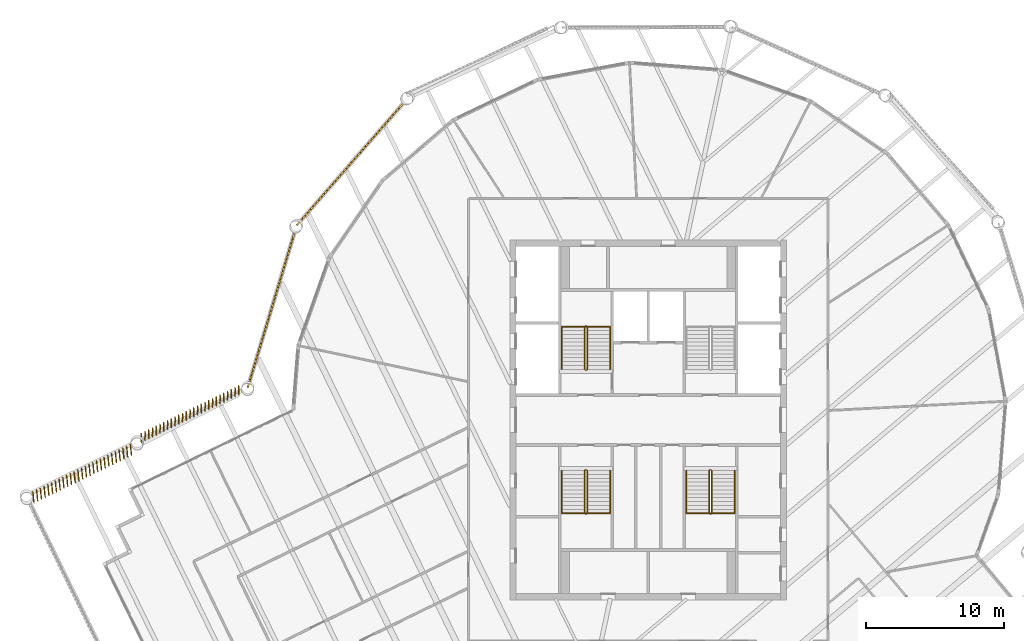
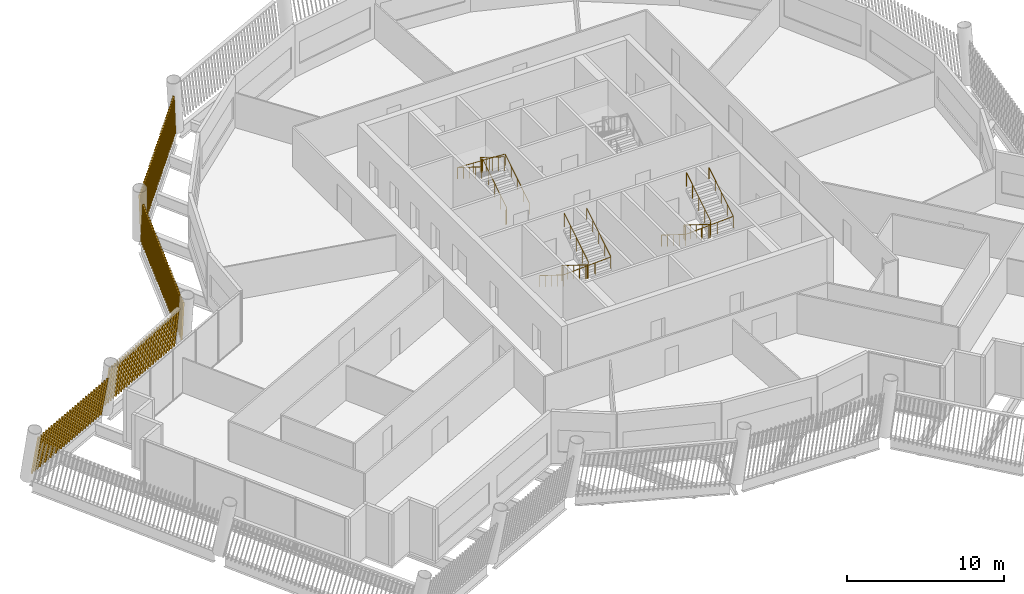
# One storey, part 28 of 31: 6 railings, 4 shading devices.
"""IFC4 building model written with IfcOpenShell, lengths in metres."""

from ifc_helpers import new_model, si_unit, direction, frame, frame_2d, origin, origin_2d, place, context, subcontext, project, spatial, rectangle, circle, composite_profile, extrude, material, type_object, element, save


model = new_model("IFC4")

# Units and contexts
model_context = context("Model", 3, precision=1e-05, world=origin(), true_north=direction((0.0, 1.0)))
body_context = subcontext(model_context, "Body", "Model", "MODEL_VIEW")
ifc_project = project(units=[si_unit("LENGTHUNIT", "METRE"), si_unit("AREAUNIT", "SQUARE_METRE"), si_unit("VOLUMEUNIT", "CUBIC_METRE"), si_unit("PLANEANGLEUNIT", "RADIAN"), si_unit("MASSUNIT", "GRAM", prefix="KILO")], contexts=[model_context])

# Site, building, storey
site_placement = place(None, origin())
site = spatial("IfcSite", under=ifc_project, at=site_placement, CompositionType="ELEMENT")
building_placement = place(site_placement, origin())
building = spatial("IfcBuilding", under=site, at=building_placement, Name="Tarsis Ring Headquarters", CompositionType="ELEMENT")
storey_placement = place(building_placement, frame((0.0, 0.0, 390.199951171875)))
storey = spatial("IfcBuildingStorey", under=building, at=storey_placement, Name="L92", CompositionType="ELEMENT", Elevation=390.199951171875)

# Railings
ifc_material_1 = material(Name="Steel S355", Category="steel")
railing_type_1 = type_object("IfcRailingType", Name="Core stair guard 1100", PredefinedType="GUARDRAIL", material=ifc_material_1)
railing_1_placement = place(storey_placement, frame((-4.5400390625, 3.610107421875, 0.0)))
element("IfcRailing", 1, at=railing_1_placement, inside=storey, type_object=railing_type_1, Name="L92 ST1 stair guard 1", PredefinedType="GUARDRAIL", context=body_context, shape_type="SweptSolid", body=[
    extrude(circle(Radius=0.02392578125, at=origin_2d()), frame((0.0, 0.0, 1.076171875), z_axis=(1.0, 0.0, 0.0), x_axis=(0.0, 1.0, 0.0)), (0.0, 0.0, 1.0), 0.080078125),
    extrude(circle(Radius=0.02392578125, at=origin_2d()), frame((0.080078125, 0.0, 1.076171875), z_axis=(0.265155923931, 0.263862480399, 0.927399011991), x_axis=(-0.705375805398, 0.708833529934, 0.0)), (0.0, 0.0, 1.0), 0.188720703125),
    extrude(circle(Radius=0.02392578125, at=origin_2d()), frame((0.130126953125, 0.0498046875, 1.2509765625), z_axis=(0.0, 0.847998304005, 0.529998940003), x_axis=(-1.0, 0.0, 0.0)), (0.0, 0.0, 1.0), 3.632080078125),
    extrude(circle(Radius=0.02392578125, at=origin_2d()), frame((0.130126953125, 3.1298828125, 3.17626953125), z_axis=(-0.707106781187, 0.707106781187, 0.0), x_axis=(-0.707106781187, -0.707106781187, 0.0)), (0.0, 0.0, 1.0), 0.07080078125),
    extrude(circle(Radius=0.02392578125, at=origin_2d()), frame((0.080078125, 3.179931640625, 3.17626953125), z_axis=(-1.0, 0.0, 0.0), x_axis=(0.0, -1.0, 0.0)), (0.0, 0.0, 1.0), 0.080078125),
    extrude(circle(Radius=0.02392578125, at=origin_2d()), frame((0.0, 3.179931640625, 3.17626953125), z_axis=(-0.265065253269, -0.265065253269, 0.927081885822), x_axis=(0.707106781187, -0.707106781187, 0.0)), (0.0, 0.0, 1.0), 0.188720703125),
    extrude(circle(Radius=0.02392578125, at=origin_2d()), frame((-0.050048828125, 3.1298828125, 3.35107421875), z_axis=(0.0, -0.848028513186, 0.529950602248), x_axis=(1.0, 0.0, 0.0)), (0.0, 0.0, 1.0), 3.632080078125),
    extrude(circle(Radius=0.02099609375, at=origin_2d()), origin(), (0.0, 0.0, 1.0), 1.052001953125),
    extrude(circle(Radius=0.02099609375, at=origin_2d()), frame((0.080078125, 0.0, 0.0)), (0.0, 0.0, 1.0), 1.052001953125),
    extrude(circle(Radius=0.02099609375, at=origin_2d()), frame((0.130126953125, 0.0498046875, 0.175048828125)), (0.0, 0.0, 1.0), 1.052001953125),
    extrude(circle(Radius=0.02099609375, at=origin_2d()), frame((0.130126953125, 0.81982421875, 0.65625)), (0.0, 0.0, 1.0), 1.052001953125),
    extrude(circle(Radius=0.02099609375, at=origin_2d()), frame((0.130126953125, 1.58984375, 1.1376953125)), (0.0, 0.0, 1.0), 1.052001953125),
    extrude(circle(Radius=0.02099609375, at=origin_2d()), frame((0.130126953125, 2.35986328125, 1.618896484375)), (0.0, 0.0, 1.0), 1.052001953125),
    extrude(circle(Radius=0.02099609375, at=origin_2d()), frame((0.130126953125, 3.1298828125, 2.10009765625)), (0.0, 0.0, 1.0), 1.052001953125),
    extrude(circle(Radius=0.02099609375, at=origin_2d()), frame((0.080078125, 3.179931640625, 2.10009765625)), (0.0, 0.0, 1.0), 1.052001953125),
    extrude(circle(Radius=0.02099609375, at=origin_2d()), frame((0.0, 3.179931640625, 2.10009765625)), (0.0, 0.0, 1.0), 1.052001953125),
    extrude(circle(Radius=0.02099609375, at=origin_2d()), frame((-0.050048828125, 3.1298828125, 2.275146484375)), (0.0, 0.0, 1.0), 1.052001953125),
    extrude(circle(Radius=0.02099609375, at=origin_2d()), frame((-0.050048828125, 2.35986328125, 2.75634765625)), (0.0, 0.0, 1.0), 1.052001953125),
    extrude(circle(Radius=0.02099609375, at=origin_2d()), frame((-0.050048828125, 1.58984375, 3.237548828125)), (0.0, 0.0, 1.0), 1.052001953125),
    extrude(circle(Radius=0.02099609375, at=origin_2d()), frame((-0.050048828125, 0.81982421875, 3.71875)), (0.0, 0.0, 1.0), 1.052001953125),
    extrude(circle(Radius=0.02099609375, at=origin_2d()), frame((-0.050048828125, 0.0498046875, 4.199951171875)), (0.0, 0.0, 1.0), 1.052001953125),
])
railing_2_placement = place(storey_placement, frame((-4.4599609375, -3.610107421875, 0.0)))
element("IfcRailing", 2, at=railing_2_placement, inside=storey, type_object=railing_type_1, Name="L92 ST3 stair guard 1", PredefinedType="GUARDRAIL", context=body_context, shape_type="SweptSolid", body=[
    extrude(circle(Radius=0.02392578125, at=origin_2d()), frame((0.0, 0.0, 1.076171875), z_axis=(-1.0, 0.0, 0.0), x_axis=(0.0, -1.0, 0.0)), (0.0, 0.0, 1.0), 0.080078125),
    extrude(circle(Radius=0.02392578125, at=origin_2d()), frame((-0.080078125, 0.0, 1.076171875), z_axis=(-0.265155923931, -0.263862480399, 0.927399011991), x_axis=(0.705375805398, -0.708833529934, 0.0)), (0.0, 0.0, 1.0), 0.188720703125),
    extrude(circle(Radius=0.02392578125, at=origin_2d()), frame((-0.130126953125, -0.0498046875, 1.2509765625), z_axis=(0.0, -0.847998304005, 0.529998940003), x_axis=(1.0, 0.0, 0.0)), (0.0, 0.0, 1.0), 3.632080078125),
    extrude(circle(Radius=0.02392578125, at=origin_2d()), frame((-0.130126953125, -3.1298828125, 3.17626953125), z_axis=(0.707106781187, -0.707106781187, 0.0), x_axis=(0.707106781187, 0.707106781187, 0.0)), (0.0, 0.0, 1.0), 0.07080078125),
    extrude(circle(Radius=0.02392578125, at=origin_2d()), frame((-0.080078125, -3.179931640625, 3.17626953125), z_axis=(1.0, 0.0, 0.0), x_axis=(0.0, 1.0, 0.0)), (0.0, 0.0, 1.0), 0.080078125),
    extrude(circle(Radius=0.02392578125, at=origin_2d()), frame((0.0, -3.179931640625, 3.17626953125), z_axis=(0.265065253269, 0.265065253269, 0.927081885822), x_axis=(-0.707106781187, 0.707106781187, 0.0)), (0.0, 0.0, 1.0), 0.188720703125),
    extrude(circle(Radius=0.02392578125, at=origin_2d()), frame((0.050048828125, -3.1298828125, 3.35107421875), z_axis=(0.0, 0.848028513186, 0.529950602248), x_axis=(-1.0, 0.0, 0.0)), (0.0, 0.0, 1.0), 3.632080078125),
    extrude(circle(Radius=0.02099609375, at=origin_2d()), origin(), (0.0, 0.0, 1.0), 1.052001953125),
    extrude(circle(Radius=0.02099609375, at=origin_2d()), frame((-0.080078125, 0.0, 0.0)), (0.0, 0.0, 1.0), 1.052001953125),
    extrude(circle(Radius=0.02099609375, at=origin_2d()), frame((-0.130126953125, -0.0498046875, 0.175048828125)), (0.0, 0.0, 1.0), 1.052001953125),
    extrude(circle(Radius=0.02099609375, at=origin_2d()), frame((-0.130126953125, -0.81982421875, 0.65625)), (0.0, 0.0, 1.0), 1.052001953125),
    extrude(circle(Radius=0.02099609375, at=origin_2d()), frame((-0.130126953125, -1.58984375, 1.1376953125)), (0.0, 0.0, 1.0), 1.052001953125),
    extrude(circle(Radius=0.02099609375, at=origin_2d()), frame((-0.130126953125, -2.35986328125, 1.618896484375)), (0.0, 0.0, 1.0), 1.052001953125),
    extrude(circle(Radius=0.02099609375, at=origin_2d()), frame((-0.130126953125, -3.1298828125, 2.10009765625)), (0.0, 0.0, 1.0), 1.052001953125),
    extrude(circle(Radius=0.02099609375, at=origin_2d()), frame((-0.080078125, -3.179931640625, 2.10009765625)), (0.0, 0.0, 1.0), 1.052001953125),
    extrude(circle(Radius=0.02099609375, at=origin_2d()), frame((0.0, -3.179931640625, 2.10009765625)), (0.0, 0.0, 1.0), 1.052001953125),
    extrude(circle(Radius=0.02099609375, at=origin_2d()), frame((0.050048828125, -3.1298828125, 2.275146484375)), (0.0, 0.0, 1.0), 1.052001953125),
    extrude(circle(Radius=0.02099609375, at=origin_2d()), frame((0.050048828125, -2.35986328125, 2.75634765625)), (0.0, 0.0, 1.0), 1.052001953125),
    extrude(circle(Radius=0.02099609375, at=origin_2d()), frame((0.050048828125, -1.58984375, 3.237548828125)), (0.0, 0.0, 1.0), 1.052001953125),
    extrude(circle(Radius=0.02099609375, at=origin_2d()), frame((0.050048828125, -0.81982421875, 3.71875)), (0.0, 0.0, 1.0), 1.052001953125),
    extrude(circle(Radius=0.02099609375, at=origin_2d()), frame((0.050048828125, -0.0498046875, 4.199951171875)), (0.0, 0.0, 1.0), 1.052001953125),
])
railing_3_placement = place(storey_placement, frame((4.5400390625, -3.610107421875, 0.0)))
element("IfcRailing", 3, at=railing_3_placement, inside=storey, type_object=railing_type_1, Name="L92 ST4 stair guard 1", PredefinedType="GUARDRAIL", context=body_context, shape_type="SweptSolid", body=[
    extrude(circle(Radius=0.02392578125, at=origin_2d()), frame((0.0, 0.0, 1.076171875), z_axis=(-1.0, 0.0, 0.0), x_axis=(0.0, -1.0, 0.0)), (0.0, 0.0, 1.0), 0.080078125),
    extrude(circle(Radius=0.02392578125, at=origin_2d()), frame((-0.080078125, 0.0, 1.076171875), z_axis=(-0.265155923931, -0.263862480399, 0.927399011991), x_axis=(0.705375805398, -0.708833529934, 0.0)), (0.0, 0.0, 1.0), 0.188720703125),
    extrude(circle(Radius=0.02392578125, at=origin_2d()), frame((-0.130126953125, -0.0498046875, 1.2509765625), z_axis=(0.0, -0.847998304005, 0.529998940003), x_axis=(1.0, 0.0, 0.0)), (0.0, 0.0, 1.0), 3.632080078125),
    extrude(circle(Radius=0.02392578125, at=origin_2d()), frame((-0.130126953125, -3.1298828125, 3.17626953125), z_axis=(0.707106781187, -0.707106781187, 0.0), x_axis=(0.707106781187, 0.707106781187, 0.0)), (0.0, 0.0, 1.0), 0.07080078125),
    extrude(circle(Radius=0.02392578125, at=origin_2d()), frame((-0.080078125, -3.179931640625, 3.17626953125), z_axis=(1.0, 0.0, 0.0), x_axis=(0.0, 1.0, 0.0)), (0.0, 0.0, 1.0), 0.080078125),
    extrude(circle(Radius=0.02392578125, at=origin_2d()), frame((0.0, -3.179931640625, 3.17626953125), z_axis=(0.265065253269, 0.265065253269, 0.927081885822), x_axis=(-0.707106781187, 0.707106781187, 0.0)), (0.0, 0.0, 1.0), 0.188720703125),
    extrude(circle(Radius=0.02392578125, at=origin_2d()), frame((0.050048828125, -3.1298828125, 3.35107421875), z_axis=(0.0, 0.848028513186, 0.529950602248), x_axis=(-1.0, 0.0, 0.0)), (0.0, 0.0, 1.0), 3.632080078125),
    extrude(circle(Radius=0.02099609375, at=origin_2d()), origin(), (0.0, 0.0, 1.0), 1.052001953125),
    extrude(circle(Radius=0.02099609375, at=origin_2d()), frame((-0.080078125, 0.0, 0.0)), (0.0, 0.0, 1.0), 1.052001953125),
    extrude(circle(Radius=0.02099609375, at=origin_2d()), frame((-0.130126953125, -0.0498046875, 0.175048828125)), (0.0, 0.0, 1.0), 1.052001953125),
    extrude(circle(Radius=0.02099609375, at=origin_2d()), frame((-0.130126953125, -0.81982421875, 0.65625)), (0.0, 0.0, 1.0), 1.052001953125),
    extrude(circle(Radius=0.02099609375, at=origin_2d()), frame((-0.130126953125, -1.58984375, 1.1376953125)), (0.0, 0.0, 1.0), 1.052001953125),
    extrude(circle(Radius=0.02099609375, at=origin_2d()), frame((-0.130126953125, -2.35986328125, 1.618896484375)), (0.0, 0.0, 1.0), 1.052001953125),
    extrude(circle(Radius=0.02099609375, at=origin_2d()), frame((-0.130126953125, -3.1298828125, 2.10009765625)), (0.0, 0.0, 1.0), 1.052001953125),
    extrude(circle(Radius=0.02099609375, at=origin_2d()), frame((-0.080078125, -3.179931640625, 2.10009765625)), (0.0, 0.0, 1.0), 1.052001953125),
    extrude(circle(Radius=0.02099609375, at=origin_2d()), frame((0.0, -3.179931640625, 2.10009765625)), (0.0, 0.0, 1.0), 1.052001953125),
    extrude(circle(Radius=0.02099609375, at=origin_2d()), frame((0.050048828125, -3.1298828125, 2.275146484375)), (0.0, 0.0, 1.0), 1.052001953125),
    extrude(circle(Radius=0.02099609375, at=origin_2d()), frame((0.050048828125, -2.35986328125, 2.75634765625)), (0.0, 0.0, 1.0), 1.052001953125),
    extrude(circle(Radius=0.02099609375, at=origin_2d()), frame((0.050048828125, -1.58984375, 3.237548828125)), (0.0, 0.0, 1.0), 1.052001953125),
    extrude(circle(Radius=0.02099609375, at=origin_2d()), frame((0.050048828125, -0.81982421875, 3.71875)), (0.0, 0.0, 1.0), 1.052001953125),
    extrude(circle(Radius=0.02099609375, at=origin_2d()), frame((0.050048828125, -0.0498046875, 4.199951171875)), (0.0, 0.0, 1.0), 1.052001953125),
])
railing_type_2 = type_object("IfcRailingType", Name="Core stair handrail 900", PredefinedType="HANDRAIL", material=ifc_material_1)
railing_4_placement = place(storey_placement, frame((-2.75, 3.659912109375, 0.175048828125)))
element("IfcRailing", 4, at=railing_4_placement, inside=storey, type_object=railing_type_2, Name="L92 ST1 stair handrail 1", PredefinedType="HANDRAIL", context=body_context, shape_type="SweptSolid", body=[
    extrude(circle(Radius=0.02392578125, at=origin_2d()), frame((0.0, 0.0, 0.8759765625), z_axis=(0.0, 0.847998304005, 0.529998940003), x_axis=(-1.0, 0.0, 0.0)), (0.0, 0.0, 1.0), 3.632080078125),
    extrude(circle(Radius=0.02392578125, at=origin_2d()), frame((0.0, 3.080078125, 2.80078125), z_axis=(-0.998751643845, 0.0, 0.049951515669), x_axis=(0.0, -1.0, 0.0)), (0.0, 0.0, 1.0), 3.50439453125),
    extrude(circle(Radius=0.02392578125, at=origin_2d()), frame((-3.5, 3.080078125, 2.97607421875), z_axis=(0.0, -0.848028513186, 0.529950602248), x_axis=(1.0, 0.0, 0.0)), (0.0, 0.0, 1.0), 3.632080078125),
    extrude(circle(Radius=0.02099609375, at=origin_2d()), origin(), (0.0, 0.0, 1.0), 0.851806640625),
    extrude(circle(Radius=0.02099609375, at=origin_2d()), frame((0.0, 0.77001953125, 0.481201171875)), (0.0, 0.0, 1.0), 0.851806640625),
    extrude(circle(Radius=0.02099609375, at=origin_2d()), frame((0.0, 1.5400390625, 0.96240234375)), (0.0, 0.0, 1.0), 0.851806640625),
    extrude(circle(Radius=0.02099609375, at=origin_2d()), frame((0.0, 2.31005859375, 1.44384765625)), (0.0, 0.0, 1.0), 0.851806640625),
    extrude(circle(Radius=0.02099609375, at=origin_2d()), frame((0.0, 3.080078125, 1.925048828125)), (0.0, 0.0, 1.0), 0.851806640625),
    extrude(circle(Radius=0.02099609375, at=origin_2d()), frame((-1.166748046875, 3.080078125, 1.9833984375)), (0.0, 0.0, 1.0), 0.851806640625),
    extrude(circle(Radius=0.02099609375, at=origin_2d()), frame((-2.333251953125, 3.080078125, 2.041748046875)), (0.0, 0.0, 1.0), 0.851806640625),
    extrude(circle(Radius=0.02099609375, at=origin_2d()), frame((-3.5, 3.080078125, 2.10009765625)), (0.0, 0.0, 1.0), 0.851806640625),
    extrude(circle(Radius=0.02099609375, at=origin_2d()), frame((-3.5, 2.31005859375, 2.581298828125)), (0.0, 0.0, 1.0), 0.851806640625),
    extrude(circle(Radius=0.02099609375, at=origin_2d()), frame((-3.5, 1.5400390625, 3.0625)), (0.0, 0.0, 1.0), 0.851806640625),
    extrude(circle(Radius=0.02099609375, at=origin_2d()), frame((-3.5, 0.77001953125, 3.543701171875)), (0.0, 0.0, 1.0), 0.851806640625),
    extrude(circle(Radius=0.02099609375, at=origin_2d()), frame((-3.5, 0.0, 4.02490234375)), (0.0, 0.0, 1.0), 0.851806640625),
])
railing_5_placement = place(storey_placement, frame((-6.25, -3.659912109375, 0.175048828125)))
element("IfcRailing", 5, at=railing_5_placement, inside=storey, type_object=railing_type_2, Name="L92 ST3 stair handrail 1", PredefinedType="HANDRAIL", context=body_context, shape_type="SweptSolid", body=[
    extrude(circle(Radius=0.02392578125, at=origin_2d()), frame((0.0, 0.0, 0.8759765625), z_axis=(0.0, -0.847998304005, 0.529998940003), x_axis=(1.0, 0.0, 0.0)), (0.0, 0.0, 1.0), 3.632080078125),
    extrude(circle(Radius=0.02392578125, at=origin_2d()), frame((0.0, -3.080078125, 2.80078125), z_axis=(0.998751643845, 0.0, 0.049951515669), x_axis=(0.0, 1.0, 0.0)), (0.0, 0.0, 1.0), 3.50439453125),
    extrude(circle(Radius=0.02392578125, at=origin_2d()), frame((3.5, -3.080078125, 2.97607421875), z_axis=(0.0, 0.848028513186, 0.529950602248), x_axis=(-1.0, 0.0, 0.0)), (0.0, 0.0, 1.0), 3.632080078125),
    extrude(circle(Radius=0.02099609375, at=origin_2d()), origin(), (0.0, 0.0, 1.0), 0.851806640625),
    extrude(circle(Radius=0.02099609375, at=origin_2d()), frame((0.0, -0.77001953125, 0.481201171875)), (0.0, 0.0, 1.0), 0.851806640625),
    extrude(circle(Radius=0.02099609375, at=origin_2d()), frame((0.0, -1.5400390625, 0.96240234375)), (0.0, 0.0, 1.0), 0.851806640625),
    extrude(circle(Radius=0.02099609375, at=origin_2d()), frame((0.0, -2.31005859375, 1.44384765625)), (0.0, 0.0, 1.0), 0.851806640625),
    extrude(circle(Radius=0.02099609375, at=origin_2d()), frame((0.0, -3.080078125, 1.925048828125)), (0.0, 0.0, 1.0), 0.851806640625),
    extrude(circle(Radius=0.02099609375, at=origin_2d()), frame((1.166748046875, -3.080078125, 1.9833984375)), (0.0, 0.0, 1.0), 0.851806640625),
    extrude(circle(Radius=0.02099609375, at=origin_2d()), frame((2.333251953125, -3.080078125, 2.041748046875)), (0.0, 0.0, 1.0), 0.851806640625),
    extrude(circle(Radius=0.02099609375, at=origin_2d()), frame((3.5, -3.080078125, 2.10009765625)), (0.0, 0.0, 1.0), 0.851806640625),
    extrude(circle(Radius=0.02099609375, at=origin_2d()), frame((3.5, -2.31005859375, 2.581298828125)), (0.0, 0.0, 1.0), 0.851806640625),
    extrude(circle(Radius=0.02099609375, at=origin_2d()), frame((3.5, -1.5400390625, 3.0625)), (0.0, 0.0, 1.0), 0.851806640625),
    extrude(circle(Radius=0.02099609375, at=origin_2d()), frame((3.5, -0.77001953125, 3.543701171875)), (0.0, 0.0, 1.0), 0.851806640625),
    extrude(circle(Radius=0.02099609375, at=origin_2d()), frame((3.5, 0.0, 4.02490234375)), (0.0, 0.0, 1.0), 0.851806640625),
])
railing_6_placement = place(storey_placement, frame((2.75, -3.659912109375, 0.175048828125)))
element("IfcRailing", 6, at=railing_6_placement, inside=storey, type_object=railing_type_2, Name="L92 ST4 stair handrail 1", PredefinedType="HANDRAIL", context=body_context, shape_type="SweptSolid", body=[
    extrude(circle(Radius=0.02392578125, at=origin_2d()), frame((0.0, 0.0, 0.8759765625), z_axis=(0.0, -0.847998304005, 0.529998940003), x_axis=(1.0, 0.0, 0.0)), (0.0, 0.0, 1.0), 3.632080078125),
    extrude(circle(Radius=0.02392578125, at=origin_2d()), frame((0.0, -3.080078125, 2.80078125), z_axis=(0.998751643845, 0.0, 0.049951515669), x_axis=(0.0, 1.0, 0.0)), (0.0, 0.0, 1.0), 3.50439453125),
    extrude(circle(Radius=0.02392578125, at=origin_2d()), frame((3.5, -3.080078125, 2.97607421875), z_axis=(0.0, 0.848028513186, 0.529950602248), x_axis=(-1.0, 0.0, 0.0)), (0.0, 0.0, 1.0), 3.632080078125),
    extrude(circle(Radius=0.02099609375, at=origin_2d()), origin(), (0.0, 0.0, 1.0), 0.851806640625),
    extrude(circle(Radius=0.02099609375, at=origin_2d()), frame((0.0, -0.77001953125, 0.481201171875)), (0.0, 0.0, 1.0), 0.851806640625),
    extrude(circle(Radius=0.02099609375, at=origin_2d()), frame((0.0, -1.5400390625, 0.96240234375)), (0.0, 0.0, 1.0), 0.851806640625),
    extrude(circle(Radius=0.02099609375, at=origin_2d()), frame((0.0, -2.31005859375, 1.44384765625)), (0.0, 0.0, 1.0), 0.851806640625),
    extrude(circle(Radius=0.02099609375, at=origin_2d()), frame((0.0, -3.080078125, 1.925048828125)), (0.0, 0.0, 1.0), 0.851806640625),
    extrude(circle(Radius=0.02099609375, at=origin_2d()), frame((1.166748046875, -3.080078125, 1.9833984375)), (0.0, 0.0, 1.0), 0.851806640625),
    extrude(circle(Radius=0.02099609375, at=origin_2d()), frame((2.333251953125, -3.080078125, 2.041748046875)), (0.0, 0.0, 1.0), 0.851806640625),
    extrude(circle(Radius=0.02099609375, at=origin_2d()), frame((3.5, -3.080078125, 2.10009765625)), (0.0, 0.0, 1.0), 0.851806640625),
    extrude(circle(Radius=0.02099609375, at=origin_2d()), frame((3.5, -2.31005859375, 2.581298828125)), (0.0, 0.0, 1.0), 0.851806640625),
    extrude(circle(Radius=0.02099609375, at=origin_2d()), frame((3.5, -1.5400390625, 3.0625)), (0.0, 0.0, 1.0), 0.851806640625),
    extrude(circle(Radius=0.02099609375, at=origin_2d()), frame((3.5, -0.77001953125, 3.543701171875)), (0.0, 0.0, 1.0), 0.851806640625),
    extrude(circle(Radius=0.02099609375, at=origin_2d()), frame((3.5, 0.0, 4.02490234375)), (0.0, 0.0, 1.0), 0.851806640625),
])

# Shading devices
ifc_material_2 = material(Name="Terracotta baguette", Category="masonry")
shading_device_type = type_object("IfcShadingDeviceType", Name="Terracotta baguette screen", PredefinedType="USERDEFINED", material=ifc_material_2)
shading_device_1_placement = place(storey_placement, frame((-17.68310546875, 22.91845703125, 0.0), z_axis=(0.0, 0.0, 1.0), x_axis=(-0.657948996202, -0.753076505697, 0.0)))
element("IfcShadingDevice", 7, at=shading_device_1_placement, inside=storey, type_object=shading_device_type, Name="Baguette screen L92-11", ObjectType="Terracotta baguette screen", PredefinedType="USERDEFINED", context=body_context, shape_type="SweptSolid", body=[
    extrude(composite_profile([rectangle(XDim=0.06005859375, YDim=0.1201171875, at=frame_2d((0.030029296875, 0.0))), rectangle(XDim=0.06005859375, YDim=0.1201171875, at=frame_2d((0.33251953125, 0.0))), rectangle(XDim=0.06005859375, YDim=0.1201171875, at=frame_2d((0.634765625, 0.0))), rectangle(XDim=0.06005859375, YDim=0.1201171875, at=frame_2d((0.937255859375, 0.0))), rectangle(XDim=0.06005859375, YDim=0.1201171875, at=frame_2d((1.239501953125, 0.0))), rectangle(XDim=0.06005859375, YDim=0.1201171875, at=frame_2d((1.5419921875, 0.0))), rectangle(XDim=0.06005859375, YDim=0.1201171875, at=frame_2d((1.844482421875, 0.0))), rectangle(XDim=0.06005859375, YDim=0.1201171875, at=frame_2d((2.146728515625, 0.0))), rectangle(XDim=0.06005859375, YDim=0.1201171875, at=frame_2d((2.44921875, 0.0))), rectangle(XDim=0.06005859375, YDim=0.1201171875, at=frame_2d((2.751708984375, 0.0))), rectangle(XDim=0.06005859375, YDim=0.1201171875, at=frame_2d((3.053955078125, 0.0))), rectangle(XDim=0.06005859375, YDim=0.1201171875, at=frame_2d((3.3564453125, 0.0))), rectangle(XDim=0.06005859375, YDim=0.1201171875, at=frame_2d((3.65869140625, 0.0))), rectangle(XDim=0.06005859375, YDim=0.1201171875, at=frame_2d((3.961181640625, 0.0))), rectangle(XDim=0.06005859375, YDim=0.1201171875, at=frame_2d((4.263671875, 0.0))), rectangle(XDim=0.06005859375, YDim=0.1201171875, at=frame_2d((4.56591796875, 0.0))), rectangle(XDim=0.06005859375, YDim=0.1201171875, at=frame_2d((4.868408203125, 0.0))), rectangle(XDim=0.06005859375, YDim=0.1201171875, at=frame_2d((5.1708984375, 0.0))), rectangle(XDim=0.06005859375, YDim=0.1201171875, at=frame_2d((5.47314453125, 0.0))), rectangle(XDim=0.06005859375, YDim=0.1201171875, at=frame_2d((5.775634765625, 0.0))), rectangle(XDim=0.06005859375, YDim=0.1201171875, at=frame_2d((6.077880859375, 0.0))), rectangle(XDim=0.06005859375, YDim=0.1201171875, at=frame_2d((6.38037109375, 0.0))), rectangle(XDim=0.06005859375, YDim=0.1201171875, at=frame_2d((6.682861328125, 0.0))), rectangle(XDim=0.06005859375, YDim=0.1201171875, at=frame_2d((6.985107421875, 0.0))), rectangle(XDim=0.06005859375, YDim=0.1201171875, at=frame_2d((7.28759765625, 0.0))), rectangle(XDim=0.06005859375, YDim=0.1201171875, at=frame_2d((7.590087890625, 0.0))), rectangle(XDim=0.06005859375, YDim=0.1201171875, at=frame_2d((7.892333984375, 0.0))), rectangle(XDim=0.06005859375, YDim=0.1201171875, at=frame_2d((8.19482421875, 0.0))), rectangle(XDim=0.06005859375, YDim=0.1201171875, at=frame_2d((8.4970703125, 0.0))), rectangle(XDim=0.06005859375, YDim=0.1201171875, at=frame_2d((8.799560546875, 0.0))), rectangle(XDim=0.06005859375, YDim=0.1201171875, at=frame_2d((9.10205078125, 0.0))), rectangle(XDim=0.06005859375, YDim=0.1201171875, at=frame_2d((9.404296875, 0.0))), rectangle(XDim=0.06005859375, YDim=0.1201171875, at=frame_2d((9.706787109375, 0.0))), rectangle(XDim=0.06005859375, YDim=0.1201171875, at=frame_2d((10.00927734375, 0.0))), rectangle(XDim=0.06005859375, YDim=0.1201171875, at=frame_2d((10.3115234375, 0.0))), rectangle(XDim=0.06005859375, YDim=0.1201171875, at=frame_2d((10.614013671875, 0.0))), rectangle(XDim=0.06005859375, YDim=0.1201171875, at=frame_2d((10.916259765625, 0.0))), rectangle(XDim=0.06005859375, YDim=0.1201171875, at=frame_2d((11.21875, 0.0)))]), origin(), (0.155204588061, 0.001406778739, 0.987881347541), 3.32080078125),
])
shading_device_2_placement = place(storey_placement, frame((-25.5576171875, 13.592041015625, 0.0), z_axis=(0.0, 0.0, 1.0), x_axis=(-0.289050461205, -0.957308735757, 0.0)))
element("IfcShadingDevice", 8, at=shading_device_2_placement, inside=storey, type_object=shading_device_type, Name="Baguette screen L92-12", ObjectType="Terracotta baguette screen", PredefinedType="USERDEFINED", context=body_context, shape_type="SweptSolid", body=[
    extrude(composite_profile([rectangle(XDim=0.06005859375, YDim=0.1201171875, at=frame_2d((0.030029296875, 0.0))), rectangle(XDim=0.06005859375, YDim=0.1201171875, at=frame_2d((0.33251953125, 0.0))), rectangle(XDim=0.06005859375, YDim=0.1201171875, at=frame_2d((0.634765625, 0.0))), rectangle(XDim=0.06005859375, YDim=0.1201171875, at=frame_2d((0.937255859375, 0.0))), rectangle(XDim=0.06005859375, YDim=0.1201171875, at=frame_2d((1.239501953125, 0.0))), rectangle(XDim=0.06005859375, YDim=0.1201171875, at=frame_2d((1.5419921875, 0.0))), rectangle(XDim=0.06005859375, YDim=0.1201171875, at=frame_2d((1.844482421875, 0.0))), rectangle(XDim=0.06005859375, YDim=0.1201171875, at=frame_2d((2.146728515625, 0.0))), rectangle(XDim=0.06005859375, YDim=0.1201171875, at=frame_2d((2.44921875, 0.0))), rectangle(XDim=0.06005859375, YDim=0.1201171875, at=frame_2d((2.751708984375, 0.0))), rectangle(XDim=0.06005859375, YDim=0.1201171875, at=frame_2d((3.053955078125, 0.0))), rectangle(XDim=0.06005859375, YDim=0.1201171875, at=frame_2d((3.3564453125, 0.0))), rectangle(XDim=0.06005859375, YDim=0.1201171875, at=frame_2d((3.65869140625, 0.0))), rectangle(XDim=0.06005859375, YDim=0.1201171875, at=frame_2d((3.961181640625, 0.0))), rectangle(XDim=0.06005859375, YDim=0.1201171875, at=frame_2d((4.263671875, 0.0))), rectangle(XDim=0.06005859375, YDim=0.1201171875, at=frame_2d((4.56591796875, 0.0))), rectangle(XDim=0.06005859375, YDim=0.1201171875, at=frame_2d((4.868408203125, 0.0))), rectangle(XDim=0.06005859375, YDim=0.1201171875, at=frame_2d((5.1708984375, 0.0))), rectangle(XDim=0.06005859375, YDim=0.1201171875, at=frame_2d((5.47314453125, 0.0))), rectangle(XDim=0.06005859375, YDim=0.1201171875, at=frame_2d((5.775634765625, 0.0))), rectangle(XDim=0.06005859375, YDim=0.1201171875, at=frame_2d((6.077880859375, 0.0))), rectangle(XDim=0.06005859375, YDim=0.1201171875, at=frame_2d((6.38037109375, 0.0))), rectangle(XDim=0.06005859375, YDim=0.1201171875, at=frame_2d((6.682861328125, 0.0))), rectangle(XDim=0.06005859375, YDim=0.1201171875, at=frame_2d((6.985107421875, 0.0))), rectangle(XDim=0.06005859375, YDim=0.1201171875, at=frame_2d((7.28759765625, 0.0))), rectangle(XDim=0.06005859375, YDim=0.1201171875, at=frame_2d((7.590087890625, 0.0))), rectangle(XDim=0.06005859375, YDim=0.1201171875, at=frame_2d((7.892333984375, 0.0))), rectangle(XDim=0.06005859375, YDim=0.1201171875, at=frame_2d((8.19482421875, 0.0))), rectangle(XDim=0.06005859375, YDim=0.1201171875, at=frame_2d((8.4970703125, 0.0))), rectangle(XDim=0.06005859375, YDim=0.1201171875, at=frame_2d((8.799560546875, 0.0))), rectangle(XDim=0.06005859375, YDim=0.1201171875, at=frame_2d((9.10205078125, 0.0))), rectangle(XDim=0.06005859375, YDim=0.1201171875, at=frame_2d((9.404296875, 0.0))), rectangle(XDim=0.06005859375, YDim=0.1201171875, at=frame_2d((9.706787109375, 0.0))), rectangle(XDim=0.06005859375, YDim=0.1201171875, at=frame_2d((10.00927734375, 0.0))), rectangle(XDim=0.06005859375, YDim=0.1201171875, at=frame_2d((10.3115234375, 0.0))), rectangle(XDim=0.06005859375, YDim=0.1201171875, at=frame_2d((10.614013671875, 0.0))), rectangle(XDim=0.06005859375, YDim=0.1201171875, at=frame_2d((10.916259765625, 0.0))), rectangle(XDim=0.06005859375, YDim=0.1201171875, at=frame_2d((11.21875, 0.0)))]), origin(), (0.155202151249, 0.001408260583, 0.98788172827), 3.32080078125),
])
shading_device_3_placement = place(storey_placement, frame((-29.567626953125, 2.462646484375, 0.0), z_axis=(0.0, 0.0, 1.0), x_axis=(-0.898785800352, -0.438378595483, 0.0)))
element("IfcShadingDevice", 9, at=shading_device_3_placement, inside=storey, type_object=shading_device_type, Name="Baguette screen L92-13", ObjectType="Terracotta baguette screen", PredefinedType="USERDEFINED", context=body_context, shape_type="SweptSolid", body=[
    extrude(composite_profile([rectangle(XDim=0.06005859375, YDim=0.1201171875, at=frame_2d((0.030029296875, 0.0))), rectangle(XDim=0.06005859375, YDim=0.1201171875, at=frame_2d((0.33154296875, 0.0))), rectangle(XDim=0.06005859375, YDim=0.1201171875, at=frame_2d((0.63330078125, 0.0))), rectangle(XDim=0.06005859375, YDim=0.1201171875, at=frame_2d((0.934814453125, 0.0))), rectangle(XDim=0.06005859375, YDim=0.1201171875, at=frame_2d((1.236572265625, 0.0))), rectangle(XDim=0.06005859375, YDim=0.1201171875, at=frame_2d((1.5380859375, 0.0))), rectangle(XDim=0.06005859375, YDim=0.1201171875, at=frame_2d((1.83984375, 0.0))), rectangle(XDim=0.06005859375, YDim=0.1201171875, at=frame_2d((2.141357421875, 0.0))), rectangle(XDim=0.06005859375, YDim=0.1201171875, at=frame_2d((2.443115234375, 0.0))), rectangle(XDim=0.06005859375, YDim=0.1201171875, at=frame_2d((2.74462890625, 0.0))), rectangle(XDim=0.06005859375, YDim=0.1201171875, at=frame_2d((3.04638671875, 0.0))), rectangle(XDim=0.06005859375, YDim=0.1201171875, at=frame_2d((3.347900390625, 0.0))), rectangle(XDim=0.06005859375, YDim=0.1201171875, at=frame_2d((3.649658203125, 0.0))), rectangle(XDim=0.06005859375, YDim=0.1201171875, at=frame_2d((3.951171875, 0.0))), rectangle(XDim=0.06005859375, YDim=0.1201171875, at=frame_2d((4.252685546875, 0.0))), rectangle(XDim=0.06005859375, YDim=0.1201171875, at=frame_2d((4.554443359375, 0.0))), rectangle(XDim=0.06005859375, YDim=0.1201171875, at=frame_2d((4.85595703125, 0.0))), rectangle(XDim=0.06005859375, YDim=0.1201171875, at=frame_2d((5.15771484375, 0.0))), rectangle(XDim=0.06005859375, YDim=0.1201171875, at=frame_2d((5.459228515625, 0.0))), rectangle(XDim=0.06005859375, YDim=0.1201171875, at=frame_2d((5.760986328125, 0.0))), rectangle(XDim=0.06005859375, YDim=0.1201171875, at=frame_2d((6.0625, 0.0))), rectangle(XDim=0.06005859375, YDim=0.1201171875, at=frame_2d((6.3642578125, 0.0))), rectangle(XDim=0.06005859375, YDim=0.1201171875, at=frame_2d((6.665771484375, 0.0))), rectangle(XDim=0.06005859375, YDim=0.1201171875, at=frame_2d((6.967529296875, 0.0))), rectangle(XDim=0.06005859375, YDim=0.1201171875, at=frame_2d((7.26904296875, 0.0))), rectangle(XDim=0.06005859375, YDim=0.1201171875, at=frame_2d((7.57080078125, 0.0))), rectangle(XDim=0.06005859375, YDim=0.1201171875, at=frame_2d((7.872314453125, 0.0)))]), origin(), (0.081131355162, 0.161000601009, 0.983614004417), 3.335205078125),
])
shading_device_4_placement = place(storey_placement, frame((-37.404296875, -1.77685546875, 0.0), z_axis=(0.0, 0.0, 1.0), x_axis=(-0.898788927336, -0.438365051903, 0.0)))
element("IfcShadingDevice", 10, at=shading_device_4_placement, inside=storey, type_object=shading_device_type, Name="Baguette screen L92-14", ObjectType="Terracotta baguette screen", PredefinedType="USERDEFINED", context=body_context, shape_type="SweptSolid", body=[
    extrude(composite_profile([rectangle(XDim=0.06005859375, YDim=0.1201171875, at=frame_2d((0.030029296875, 0.0))), rectangle(XDim=0.06005859375, YDim=0.1201171875, at=frame_2d((0.33154296875, 0.0))), rectangle(XDim=0.06005859375, YDim=0.1201171875, at=frame_2d((0.63330078125, 0.0))), rectangle(XDim=0.06005859375, YDim=0.1201171875, at=frame_2d((0.934814453125, 0.0))), rectangle(XDim=0.06005859375, YDim=0.1201171875, at=frame_2d((1.236572265625, 0.0))), rectangle(XDim=0.06005859375, YDim=0.1201171875, at=frame_2d((1.5380859375, 0.0))), rectangle(XDim=0.06005859375, YDim=0.1201171875, at=frame_2d((1.83984375, 0.0))), rectangle(XDim=0.06005859375, YDim=0.1201171875, at=frame_2d((2.141357421875, 0.0))), rectangle(XDim=0.06005859375, YDim=0.1201171875, at=frame_2d((2.443115234375, 0.0))), rectangle(XDim=0.06005859375, YDim=0.1201171875, at=frame_2d((2.74462890625, 0.0))), rectangle(XDim=0.06005859375, YDim=0.1201171875, at=frame_2d((3.04638671875, 0.0))), rectangle(XDim=0.06005859375, YDim=0.1201171875, at=frame_2d((3.347900390625, 0.0))), rectangle(XDim=0.06005859375, YDim=0.1201171875, at=frame_2d((3.649658203125, 0.0))), rectangle(XDim=0.06005859375, YDim=0.1201171875, at=frame_2d((3.951171875, 0.0))), rectangle(XDim=0.06005859375, YDim=0.1201171875, at=frame_2d((4.252685546875, 0.0))), rectangle(XDim=0.06005859375, YDim=0.1201171875, at=frame_2d((4.554443359375, 0.0))), rectangle(XDim=0.06005859375, YDim=0.1201171875, at=frame_2d((4.85595703125, 0.0))), rectangle(XDim=0.06005859375, YDim=0.1201171875, at=frame_2d((5.15771484375, 0.0))), rectangle(XDim=0.06005859375, YDim=0.1201171875, at=frame_2d((5.459228515625, 0.0))), rectangle(XDim=0.06005859375, YDim=0.1201171875, at=frame_2d((5.760986328125, 0.0))), rectangle(XDim=0.06005859375, YDim=0.1201171875, at=frame_2d((6.0625, 0.0))), rectangle(XDim=0.06005859375, YDim=0.1201171875, at=frame_2d((6.3642578125, 0.0))), rectangle(XDim=0.06005859375, YDim=0.1201171875, at=frame_2d((6.665771484375, 0.0))), rectangle(XDim=0.06005859375, YDim=0.1201171875, at=frame_2d((6.967529296875, 0.0))), rectangle(XDim=0.06005859375, YDim=0.1201171875, at=frame_2d((7.26904296875, 0.0))), rectangle(XDim=0.06005859375, YDim=0.1201171875, at=frame_2d((7.57080078125, 0.0))), rectangle(XDim=0.06005859375, YDim=0.1201171875, at=frame_2d((7.872314453125, 0.0)))]), origin(), (0.07796738923, 0.207616149218, 0.975098262126), 3.3642578125),
])

save(model, "model.ifc")
